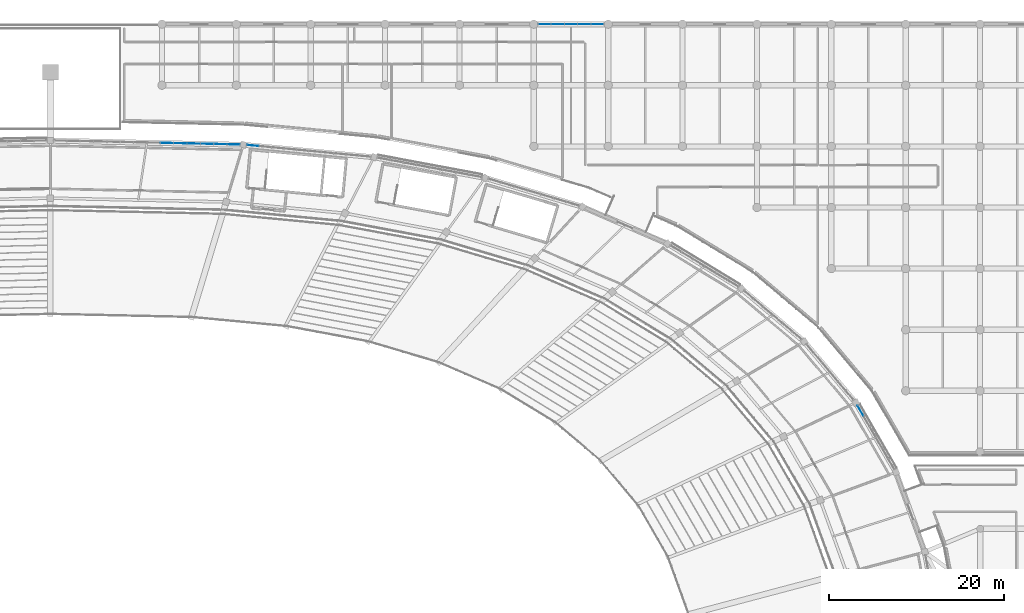
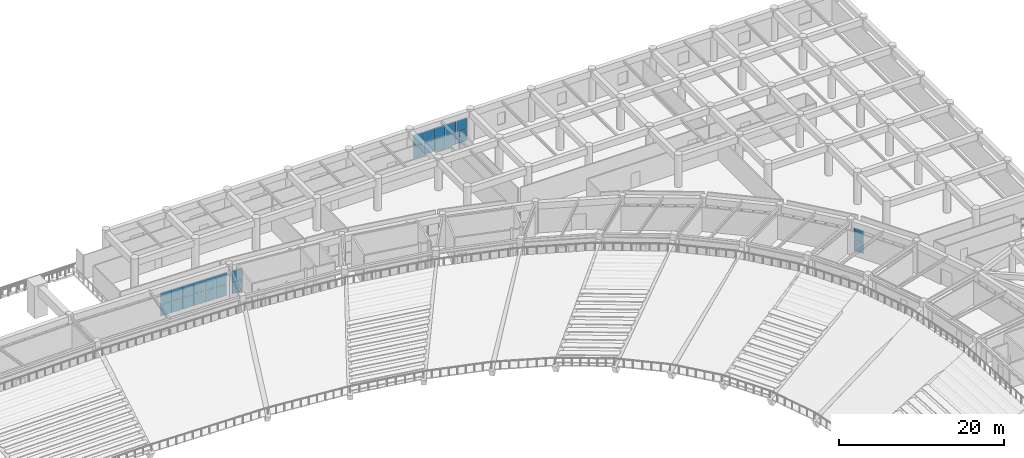
# One storey, part 89 of 137: 26 plates, 4 elements without a shape of their own.
"""IFC4 building model written with IfcOpenShell, lengths in metres."""

from ifc_helpers import new_model, si_unit, direction, frame, origin, origin_2d, place, context, subcontext, project, spatial, rectangle, extrude, material, layer, layer_set, type_object, element, aggregate, save


model = new_model("IFC4")

# Units and contexts
model_context = context("Model", 3, precision=1e-05, world=origin(), true_north=direction((0.0, 1.0)))
body_context = subcontext(model_context, "Body", "Model", "MODEL_VIEW")
ifc_project = project(units=[si_unit("LENGTHUNIT", "METRE"), si_unit("AREAUNIT", "SQUARE_METRE"), si_unit("VOLUMEUNIT", "CUBIC_METRE"), si_unit("PLANEANGLEUNIT", "RADIAN"), si_unit("MASSUNIT", "GRAM", prefix="KILO")], contexts=[model_context])

# Site, building, storey
site_placement = place(None, origin())
site = spatial("IfcSite", under=ifc_project, at=site_placement, CompositionType="ELEMENT")
building_placement = place(site_placement, origin())
building = spatial("IfcBuilding", under=site, at=building_placement, Name="Mphavela Belvedere Stadium", CompositionType="ELEMENT")
storey_placement = place(building_placement, frame((0.0, 0.0, 19.199951171875)))
storey = spatial("IfcBuildingStorey", under=building, at=storey_placement, Name="L04", CompositionType="ELEMENT", Elevation=19.199951171875)

# Curtain wall, plates
ifc_material_1 = material(Name="Anodised bronze unitised curtain wall framing")
ifc_layer_1 = layer(ifc_material_1, 0.179931640625)
ifc_layer_set_1 = layer_set([ifc_layer_1], Name="Anodised bronze unitised curtain wall framing")
curtain_wall_type_1 = type_object("IfcCurtainWallType", Name="CW-UNIT-01", PredefinedType="USERDEFINED", material=ifc_layer_set_1)
curtain_wall_1_placement = place(storey_placement, origin())
curtain_wall_1 = element("IfcCurtainWall", 1, at=curtain_wall_1_placement, inside=storey, type_object=curtain_wall_type_1, Name="Belvedere colonnade curtain wall L04-04", ObjectType="UNITISED CURTAIN WALL", PredefinedType="USERDEFINED")
ifc_material_2 = material(Name="Solar-control double glazing", Category="glass")
ifc_layer_2 = layer(ifc_material_2, 0.031982421875)
ifc_layer_set_2 = layer_set([ifc_layer_2], Name="Solar-control double glazing")
plate_type = type_object("IfcPlateType", Name="CWP-SOLAR-GLASS", PredefinedType="CURTAIN_PANEL", material=ifc_layer_set_2)
plate_1_placement = place(storey_placement, frame((207.7802734375, 129.7314453125, 0.06005859375), z_axis=(0.0, 0.0, 1.0), x_axis=(-0.500555998906, 0.865704159606, 0.0)))
plate_1 = element("IfcPlate", 2, at=plate_1_placement, type_object=plate_type, Name="CW-01 panel 6.1", PredefinedType="CURTAIN_PANEL", context=body_context, shape_type="SweptSolid", body=[
    extrude(rectangle(XDim=1.32275390625, YDim=0.031982421875, at=origin_2d()), origin(), (0.0, 0.0, 1.0), 1.695068359375),
])
plate_2_placement = place(storey_placement, frame((207.7802734375, 129.7314453125, 1.81494140625), z_axis=(0.0, 0.0, 1.0), x_axis=(-0.500555998906, 0.865704159606, 0.0)))
plate_2 = element("IfcPlate", 3, at=plate_2_placement, type_object=plate_type, Name="CW-01 panel 6.2", PredefinedType="CURTAIN_PANEL", context=body_context, shape_type="SweptSolid", body=[
    extrude(rectangle(XDim=1.32275390625, YDim=0.031982421875, at=origin_2d()), origin(), (0.0, 0.0, 1.0), 1.695068359375),
])
aggregate(curtain_wall_1, [plate_1, plate_2])

curtain_wall_2_placement = place(storey_placement, origin())
curtain_wall_2 = element("IfcCurtainWall", 4, at=curtain_wall_2_placement, inside=storey, type_object=curtain_wall_type_1, Name="Belvedere colonnade curtain wall L04-11", ObjectType="UNITISED CURTAIN WALL", PredefinedType="USERDEFINED")
plate_3_placement = place(storey_placement, frame((138.1904296875, 160.09130859375, 0.06005859375), z_axis=(0.0, 0.0, 1.0), x_axis=(-0.995483672335, 0.094932913757, 0.0)))
plate_3 = element("IfcPlate", 5, at=plate_3_placement, type_object=plate_type, Name="CW-01 panel 10.1", PredefinedType="CURTAIN_PANEL", context=body_context, shape_type="SweptSolid", body=[
    extrude(rectangle(XDim=1.33544921875, YDim=0.031982421875, at=origin_2d()), origin(), (0.0, 0.0, 1.0), 1.695068359375),
])
plate_4_placement = place(storey_placement, frame((138.1904296875, 160.09130859375, 1.81494140625), z_axis=(0.0, 0.0, 1.0), x_axis=(-0.995483672335, 0.094932913757, 0.0)))
plate_4 = element("IfcPlate", 6, at=plate_4_placement, type_object=plate_type, Name="CW-01 panel 10.2", PredefinedType="CURTAIN_PANEL", context=body_context, shape_type="SweptSolid", body=[
    extrude(rectangle(XDim=1.33544921875, YDim=0.031982421875, at=origin_2d()), origin(), (0.0, 0.0, 1.0), 1.695068359375),
])
aggregate(curtain_wall_2, [plate_3, plate_4])

ifc_material_3 = material(Name="Anodised bronze unitised curtain wall framing")
ifc_layer_3 = layer(ifc_material_3, 0.18505859375)
ifc_layer_set_3 = layer_set([ifc_layer_3], Name="Anodised bronze unitised curtain wall framing")
curtain_wall_type_2 = type_object("IfcCurtainWallType", Name="CW-UNIT-02", PredefinedType="USERDEFINED", material=ifc_layer_set_3)
curtain_wall_3_placement = place(storey_placement, origin())
curtain_wall_3 = element("IfcCurtainWall", 7, at=curtain_wall_3_placement, inside=storey, type_object=curtain_wall_type_2, Name="Belvedere colonnade curtain wall L04-12", ObjectType="UNITISED CURTAIN WALL", PredefinedType="USERDEFINED")
plate_5_placement = place(storey_placement, frame((135.985595703125, 160.218017578125, 0.06005859375), z_axis=(0.0, 0.0, 1.0), x_axis=(-0.999768256617, 0.021527495473, 0.0)))
plate_5 = element("IfcPlate", 8, at=plate_5_placement, type_object=plate_type, Name="CW-02 panel 1.1", PredefinedType="CURTAIN_PANEL", context=body_context, shape_type="SweptSolid", body=[
    extrude(rectangle(XDim=1.432861328125, YDim=0.031982421875, at=origin_2d()), origin(), (0.0, 0.0, 1.0), 1.695068359375),
])
plate_6_placement = place(storey_placement, frame((135.985595703125, 160.218017578125, 1.81494140625), z_axis=(0.0, 0.0, 1.0), x_axis=(-0.999768256617, 0.021527495473, 0.0)))
plate_6 = element("IfcPlate", 9, at=plate_6_placement, type_object=plate_type, Name="CW-02 panel 1.2", PredefinedType="CURTAIN_PANEL", context=body_context, shape_type="SweptSolid", body=[
    extrude(rectangle(XDim=1.432861328125, YDim=0.031982421875, at=origin_2d()), origin(), (0.0, 0.0, 1.0), 1.695068359375),
])
plate_7_placement = place(storey_placement, frame((134.471923828125, 160.250732421875, 0.06005859375), z_axis=(0.0, 0.0, 1.0), x_axis=(-0.999768256617, 0.021527495473, 0.0)))
plate_7 = element("IfcPlate", 10, at=plate_7_placement, type_object=plate_type, Name="CW-02 panel 2.1", PredefinedType="CURTAIN_PANEL", context=body_context, shape_type="SweptSolid", body=[
    extrude(rectangle(XDim=1.46533203125, YDim=0.031982421875, at=origin_2d()), origin(), (0.0, 0.0, 1.0), 1.695068359375),
])
plate_8_placement = place(storey_placement, frame((134.471923828125, 160.250732421875, 1.81494140625), z_axis=(0.0, 0.0, 1.0), x_axis=(-0.999768256617, 0.021527495473, 0.0)))
plate_8 = element("IfcPlate", 11, at=plate_8_placement, type_object=plate_type, Name="CW-02 panel 2.2", PredefinedType="CURTAIN_PANEL", context=body_context, shape_type="SweptSolid", body=[
    extrude(rectangle(XDim=1.46533203125, YDim=0.031982421875, at=origin_2d()), origin(), (0.0, 0.0, 1.0), 1.695068359375),
])
plate_9_placement = place(storey_placement, frame((132.94189453125, 160.28369140625, 0.06005859375), z_axis=(0.0, 0.0, 1.0), x_axis=(-0.999768256617, 0.021527495473, 0.0)))
plate_9 = element("IfcPlate", 12, at=plate_9_placement, type_object=plate_type, Name="CW-02 panel 3.1", PredefinedType="CURTAIN_PANEL", context=body_context, shape_type="SweptSolid", body=[
    extrude(rectangle(XDim=1.46533203125, YDim=0.031982421875, at=origin_2d()), origin(), (0.0, 0.0, 1.0), 1.695068359375),
])
plate_10_placement = place(storey_placement, frame((132.94189453125, 160.28369140625, 1.81494140625), z_axis=(0.0, 0.0, 1.0), x_axis=(-0.999768256617, 0.021527495473, 0.0)))
plate_10 = element("IfcPlate", 13, at=plate_10_placement, type_object=plate_type, Name="CW-02 panel 3.2", PredefinedType="CURTAIN_PANEL", context=body_context, shape_type="SweptSolid", body=[
    extrude(rectangle(XDim=1.46533203125, YDim=0.031982421875, at=origin_2d()), origin(), (0.0, 0.0, 1.0), 1.695068359375),
])
plate_11_placement = place(storey_placement, frame((131.412109375, 160.316650390625, 0.06005859375), z_axis=(0.0, 0.0, 1.0), x_axis=(-0.999768256617, 0.021527495473, 0.0)))
plate_11 = element("IfcPlate", 14, at=plate_11_placement, type_object=plate_type, Name="CW-02 panel 4.1", PredefinedType="CURTAIN_PANEL", context=body_context, shape_type="SweptSolid", body=[
    extrude(rectangle(XDim=1.46533203125, YDim=0.031982421875, at=origin_2d()), origin(), (0.0, 0.0, 1.0), 1.695068359375),
])
plate_12_placement = place(storey_placement, frame((131.412109375, 160.316650390625, 1.81494140625), z_axis=(0.0, 0.0, 1.0), x_axis=(-0.999768256617, 0.021527495473, 0.0)))
plate_12 = element("IfcPlate", 15, at=plate_12_placement, type_object=plate_type, Name="CW-02 panel 4.2", PredefinedType="CURTAIN_PANEL", context=body_context, shape_type="SweptSolid", body=[
    extrude(rectangle(XDim=1.46533203125, YDim=0.031982421875, at=origin_2d()), origin(), (0.0, 0.0, 1.0), 1.695068359375),
])
plate_13_placement = place(storey_placement, frame((129.882080078125, 160.349609375, 0.06005859375), z_axis=(0.0, 0.0, 1.0), x_axis=(-0.999768256617, 0.021527495473, 0.0)))
plate_13 = element("IfcPlate", 16, at=plate_13_placement, type_object=plate_type, Name="CW-02 panel 5.1", PredefinedType="CURTAIN_PANEL", context=body_context, shape_type="SweptSolid", body=[
    extrude(rectangle(XDim=1.46533203125, YDim=0.031982421875, at=origin_2d()), origin(), (0.0, 0.0, 1.0), 1.695068359375),
])
plate_14_placement = place(storey_placement, frame((129.882080078125, 160.349609375, 1.81494140625), z_axis=(0.0, 0.0, 1.0), x_axis=(-0.999768256617, 0.021527495473, 0.0)))
plate_14 = element("IfcPlate", 17, at=plate_14_placement, type_object=plate_type, Name="CW-02 panel 5.2", PredefinedType="CURTAIN_PANEL", context=body_context, shape_type="SweptSolid", body=[
    extrude(rectangle(XDim=1.46533203125, YDim=0.031982421875, at=origin_2d()), origin(), (0.0, 0.0, 1.0), 1.695068359375),
])
plate_15_placement = place(storey_placement, frame((128.35205078125, 160.382568359375, 0.06005859375), z_axis=(0.0, 0.0, 1.0), x_axis=(-0.999768256617, 0.021527495473, 0.0)))
plate_15 = element("IfcPlate", 18, at=plate_15_placement, type_object=plate_type, Name="CW-02 panel 6.1", PredefinedType="CURTAIN_PANEL", context=body_context, shape_type="SweptSolid", body=[
    extrude(rectangle(XDim=1.46533203125, YDim=0.031982421875, at=origin_2d()), origin(), (0.0, 0.0, 1.0), 1.695068359375),
])
plate_16_placement = place(storey_placement, frame((128.35205078125, 160.382568359375, 1.81494140625), z_axis=(0.0, 0.0, 1.0), x_axis=(-0.999768256617, 0.021527495473, 0.0)))
plate_16 = element("IfcPlate", 19, at=plate_16_placement, type_object=plate_type, Name="CW-02 panel 6.2", PredefinedType="CURTAIN_PANEL", context=body_context, shape_type="SweptSolid", body=[
    extrude(rectangle(XDim=1.46533203125, YDim=0.031982421875, at=origin_2d()), origin(), (0.0, 0.0, 1.0), 1.695068359375),
])
aggregate(curtain_wall_3, [plate_5, plate_6, plate_7, plate_8, plate_9, plate_10, plate_11, plate_12, plate_13, plate_14, plate_15, plate_16])

ifc_material_4 = material(Name="Anodised bronze unitised curtain wall framing")
ifc_layer_4 = layer(ifc_material_4, 0.205078125)
ifc_layer_set_4 = layer_set([ifc_layer_4], Name="Anodised bronze unitised curtain wall framing")
curtain_wall_type_3 = type_object("IfcCurtainWallType", Name="CW-UNIT-06", PredefinedType="USERDEFINED", material=ifc_layer_set_4)
curtain_wall_4_placement = place(storey_placement, origin())
curtain_wall_4 = element("IfcCurtainWall", 20, at=curtain_wall_4_placement, inside=storey, type_object=curtain_wall_type_3, Name="North Mast and Ceremonial End Forecourt gallery curtain wall L04-21", ObjectType="UNITISED CURTAIN WALL", PredefinedType="USERDEFINED")
plate_17_placement = place(storey_placement, frame((171.616455078125, 174.0, 0.06005859375), z_axis=(0.0, 0.0, 1.0), x_axis=(1.0, 0.0, 0.0)))
plate_17 = element("IfcPlate", 21, at=plate_17_placement, type_object=plate_type, Name="CW-06 panel 1.1", PredefinedType="CURTAIN_PANEL", context=body_context, shape_type="SweptSolid", body=[
    extrude(rectangle(XDim=1.4169921875, YDim=0.031982421875, at=origin_2d()), origin(), (0.0, 0.0, 1.0), 1.68994140625),
])
plate_18_placement = place(storey_placement, frame((171.616455078125, 174.0, 1.81005859375), z_axis=(0.0, 0.0, 1.0), x_axis=(1.0, 0.0, 0.0)))
plate_18 = element("IfcPlate", 22, at=plate_18_placement, type_object=plate_type, Name="CW-06 panel 1.2", PredefinedType="CURTAIN_PANEL", context=body_context, shape_type="SweptSolid", body=[
    extrude(rectangle(XDim=1.4169921875, YDim=0.031982421875, at=origin_2d()), origin(), (0.0, 0.0, 1.0), 1.68994140625),
])
plate_19_placement = place(storey_placement, frame((173.114990234375, 174.0, 0.06005859375), z_axis=(0.0, 0.0, 1.0), x_axis=(1.0, 0.0, 0.0)))
plate_19 = element("IfcPlate", 23, at=plate_19_placement, type_object=plate_type, Name="CW-06 panel 2.1", PredefinedType="CURTAIN_PANEL", context=body_context, shape_type="SweptSolid", body=[
    extrude(rectangle(XDim=1.44970703125, YDim=0.031982421875, at=origin_2d()), origin(), (0.0, 0.0, 1.0), 1.68994140625),
])
plate_20_placement = place(storey_placement, frame((173.114990234375, 174.0, 1.81005859375), z_axis=(0.0, 0.0, 1.0), x_axis=(1.0, 0.0, 0.0)))
plate_20 = element("IfcPlate", 24, at=plate_20_placement, type_object=plate_type, Name="CW-06 panel 2.2", PredefinedType="CURTAIN_PANEL", context=body_context, shape_type="SweptSolid", body=[
    extrude(rectangle(XDim=1.44970703125, YDim=0.031982421875, at=origin_2d()), origin(), (0.0, 0.0, 1.0), 1.68994140625),
])
plate_21_placement = place(storey_placement, frame((174.62939453125, 174.0, 0.06005859375), z_axis=(0.0, 0.0, 1.0), x_axis=(1.0, 0.0, 0.0)))
plate_21 = element("IfcPlate", 25, at=plate_21_placement, type_object=plate_type, Name="CW-06 panel 3.1", PredefinedType="CURTAIN_PANEL", context=body_context, shape_type="SweptSolid", body=[
    extrude(rectangle(XDim=1.44970703125, YDim=0.031982421875, at=origin_2d()), origin(), (0.0, 0.0, 1.0), 1.68994140625),
])
plate_22_placement = place(storey_placement, frame((174.62939453125, 174.0, 1.81005859375), z_axis=(0.0, 0.0, 1.0), x_axis=(1.0, 0.0, 0.0)))
plate_22 = element("IfcPlate", 26, at=plate_22_placement, type_object=plate_type, Name="CW-06 panel 3.2", PredefinedType="CURTAIN_PANEL", context=body_context, shape_type="SweptSolid", body=[
    extrude(rectangle(XDim=1.44970703125, YDim=0.031982421875, at=origin_2d()), origin(), (0.0, 0.0, 1.0), 1.68994140625),
])
plate_23_placement = place(storey_placement, frame((176.14404296875, 174.0, 0.06005859375), z_axis=(0.0, 0.0, 1.0), x_axis=(1.0, 0.0, 0.0)))
plate_23 = element("IfcPlate", 27, at=plate_23_placement, type_object=plate_type, Name="CW-06 panel 4.1", PredefinedType="CURTAIN_PANEL", context=body_context, shape_type="SweptSolid", body=[
    extrude(rectangle(XDim=1.44970703125, YDim=0.031982421875, at=origin_2d()), origin(), (0.0, 0.0, 1.0), 1.68994140625),
])
plate_24_placement = place(storey_placement, frame((176.14404296875, 174.0, 1.81005859375), z_axis=(0.0, 0.0, 1.0), x_axis=(1.0, 0.0, 0.0)))
plate_24 = element("IfcPlate", 28, at=plate_24_placement, type_object=plate_type, Name="CW-06 panel 4.2", PredefinedType="CURTAIN_PANEL", context=body_context, shape_type="SweptSolid", body=[
    extrude(rectangle(XDim=1.44970703125, YDim=0.031982421875, at=origin_2d()), origin(), (0.0, 0.0, 1.0), 1.68994140625),
])
plate_25_placement = place(storey_placement, frame((177.642333984375, 174.0, 0.06005859375), z_axis=(0.0, 0.0, 1.0), x_axis=(1.0, 0.0, 0.0)))
plate_25 = element("IfcPlate", 29, at=plate_25_placement, type_object=plate_type, Name="CW-06 panel 5.1", PredefinedType="CURTAIN_PANEL", context=body_context, shape_type="SweptSolid", body=[
    extrude(rectangle(XDim=1.4169921875, YDim=0.031982421875, at=origin_2d()), origin(), (0.0, 0.0, 1.0), 1.68994140625),
])
plate_26_placement = place(storey_placement, frame((177.642333984375, 174.0, 1.81005859375), z_axis=(0.0, 0.0, 1.0), x_axis=(1.0, 0.0, 0.0)))
plate_26 = element("IfcPlate", 30, at=plate_26_placement, type_object=plate_type, Name="CW-06 panel 5.2", PredefinedType="CURTAIN_PANEL", context=body_context, shape_type="SweptSolid", body=[
    extrude(rectangle(XDim=1.4169921875, YDim=0.031982421875, at=origin_2d()), origin(), (0.0, 0.0, 1.0), 1.68994140625),
])
aggregate(curtain_wall_4, [plate_17, plate_18, plate_19, plate_20, plate_21, plate_22, plate_23, plate_24, plate_25, plate_26])

save(model, "model.ifc")
